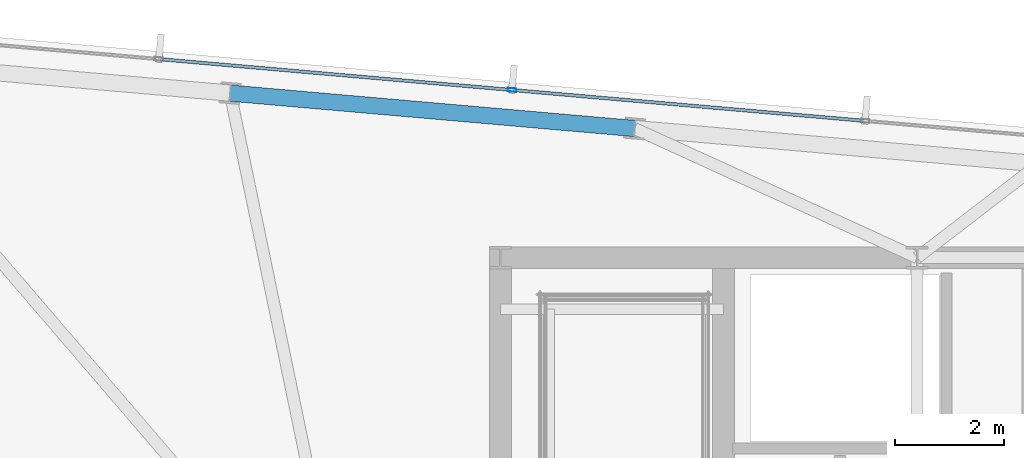
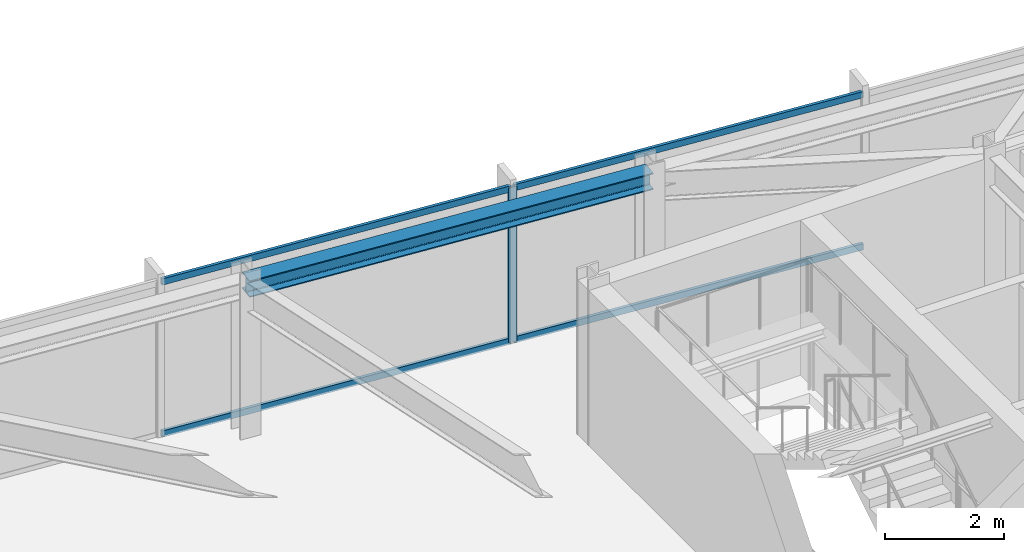
# One storey, part 24 of 32: 5 members, 1 beam, 1 element without a shape of its own.
"""IFC4 building model written with IfcOpenShell, lengths in metres."""

from ifc_helpers import new_model, si_unit, direction, frame, origin, origin_2d, place, context, subcontext, project, spatial, hollow_rectangle, i_section, extrude, material, material_profile, profile_set, type_object, element, aggregate, save


model = new_model("IFC4")

# Units and contexts
model_context = context("Model", 3, precision=1e-05, world=origin(), true_north=direction((0.0, 1.0)))
body_context = subcontext(model_context, "Body", "Model", "MODEL_VIEW")
ifc_project = project(units=[si_unit("LENGTHUNIT", "METRE"), si_unit("AREAUNIT", "SQUARE_METRE"), si_unit("VOLUMEUNIT", "CUBIC_METRE"), si_unit("PLANEANGLEUNIT", "RADIAN"), si_unit("MASSUNIT", "GRAM", prefix="KILO")], contexts=[model_context])

# Site, building, storey
site_placement = place(None, origin())
site = spatial("IfcSite", under=ifc_project, at=site_placement, CompositionType="ELEMENT")
building_placement = place(site_placement, origin())
building = spatial("IfcBuilding", under=site, at=building_placement, Name="Yelkora Congress Tower", CompositionType="ELEMENT")
storey_placement = place(building_placement, frame((0.0, 0.0, 293.10009765625)))
storey = spatial("IfcBuildingStorey", under=building, at=storey_placement, Name="L82", CompositionType="ELEMENT", Elevation=293.10009765625)

# Beam
ifc_material_1 = material(Name="Steel S355J2", Category="steel")
ifc_material_profile_1 = material_profile(ifc_material_1, i_section(OverallWidth=0.300048828125, OverallDepth=0.340087890625, WebThickness=0.011962890625, FlangeThickness=0.021484375, FilletRadius=0.027099609375, at=origin_2d()), Name="HEB 340")
ifc_profile_set_1 = profile_set([ifc_material_profile_1], Name="Steel S355J2")
beam_type = type_object("IfcBeamType", Name="BM-SPAN-HEB340", PredefinedType="SPANDREL", material=ifc_profile_set_1)
beam_placement = place(storey_placement, frame((25.513916015625, 48.57958984375, 3.010009765625), z_axis=(-0.996196266663, 0.087137812034, 0.0), x_axis=(-0.087137812034, -0.996196266663, 0.0)))
element("IfcBeam", 1, at=beam_placement, inside=storey, type_object=beam_type, Name="L82 Perimeter Beam 11", PredefinedType="SPANDREL", context=body_context, shape_type="SweptSolid", body=[
    extrude(i_section(OverallWidth=0.300048828125, OverallDepth=0.340087890625, WebThickness=0.011962890625, FlangeThickness=0.021484375, FilletRadius=0.027099609375, at=origin_2d()), origin(), (0.0, 0.0, 1.0), 7.483642578125),
])

# Curtain wall, members
ifc_material_2 = material(Name="Anodised aluminium and insulated glass", Category="aluminium")
curtain_wall_type = type_object("IfcCurtainWallType", Name="CW-SYS-B5", PredefinedType="NOTDEFINED", material=ifc_material_2)
curtain_wall_placement = place(storey_placement, origin())
curtain_wall = element("IfcCurtainWall", 2, at=curtain_wall_placement, inside=storey, type_object=curtain_wall_type, Name="L82 Unitised Curtain Wall 10", PredefinedType="NOTDEFINED")
ifc_material_3 = material(Name="Anodised aluminium 6063-T6", Category="aluminium")
ifc_material_profile_2 = material_profile(ifc_material_3, hollow_rectangle(XDim=0.06494140625, YDim=0.159912109375, WallThickness=0.00390625, at=origin_2d()), Name="ALU 65x160x4")
ifc_profile_set_2 = profile_set([ifc_material_profile_2], Name="Anodised aluminium 6063-T6")
member_type_1 = type_object("IfcMemberType", Name="MEM-ML-B5", PredefinedType="MULLION", material=ifc_profile_set_2)
member_1_placement = place(storey_placement, frame((23.253173828125, 49.289306640625, 0.0), z_axis=(0.0, 0.0, 1.0), x_axis=(0.087156639893, 0.996194619601, 0.0)))
member_1 = element("IfcMember", 3, at=member_1_placement, type_object=member_type_1, Name="CW-B5 mullion 3", PredefinedType="MULLION", context=body_context, shape_type="SweptSolid", body=[
    extrude(hollow_rectangle(XDim=0.06494140625, YDim=0.159912109375, WallThickness=0.00390625, at=origin_2d()), origin(), (0.0, 0.0, 1.0), 3.179931640625),
])
ifc_material_profile_3 = material_profile(ifc_material_3, hollow_rectangle(XDim=0.06005859375, YDim=0.1298828125, WallThickness=0.00390625, at=origin_2d()), Name="ALU 60x130x4")
ifc_profile_set_3 = profile_set([ifc_material_profile_3], Name="Anodised aluminium 6063-T6")
member_type_2 = type_object("IfcMemberType", Name="MEM-TR-B5", PredefinedType="USERDEFINED", material=ifc_profile_set_3)
member_2_placement = place(storey_placement, frame((16.779052734375, 49.855712890625, 0.02978515625), z_axis=(0.996195971174, -0.087141190126, 0.0), x_axis=(0.087141190126, 0.996195971174, 0.0)))
member_2 = element("IfcMember", 4, at=member_2_placement, type_object=member_type_2, Name="CW-B5 transom 2.1", ObjectType="TRANSOM", PredefinedType="USERDEFINED", context=body_context, shape_type="SweptSolid", body=[
    extrude(hollow_rectangle(XDim=0.06005859375, YDim=0.1298828125, WallThickness=0.00390625, at=origin_2d()), origin(), (0.0, 0.0, 1.0), 6.46630859375),
])
member_3_placement = place(storey_placement, frame((16.779052734375, 49.855712890625, 3.14990234375), z_axis=(0.996195971174, -0.087141190126, 0.0), x_axis=(0.087141190126, 0.996195971174, 0.0)))
member_3 = element("IfcMember", 5, at=member_3_placement, type_object=member_type_2, Name="CW-B5 transom 2.2", ObjectType="TRANSOM", PredefinedType="USERDEFINED", context=body_context, shape_type="SweptSolid", body=[
    extrude(hollow_rectangle(XDim=0.06005859375, YDim=0.1298828125, WallThickness=0.00390625, at=origin_2d()), origin(), (0.0, 0.0, 1.0), 6.46630859375),
])
member_4_placement = place(storey_placement, frame((23.285400390625, 49.286376953125, 0.02978515625), z_axis=(0.996196257862, -0.087137912649, 0.0), x_axis=(0.087137912649, 0.996196257862, 0.0)))
member_4 = element("IfcMember", 6, at=member_4_placement, type_object=member_type_2, Name="CW-B5 transom 3.1", ObjectType="TRANSOM", PredefinedType="USERDEFINED", context=body_context, shape_type="SweptSolid", body=[
    extrude(hollow_rectangle(XDim=0.06005859375, YDim=0.1298828125, WallThickness=0.00390625, at=origin_2d()), origin(), (0.0, 0.0, 1.0), 6.466552734375),
])
member_5_placement = place(storey_placement, frame((23.285400390625, 49.286376953125, 3.14990234375), z_axis=(0.996196257862, -0.087137912649, 0.0), x_axis=(0.087137912649, 0.996196257862, 0.0)))
member_5 = element("IfcMember", 7, at=member_5_placement, type_object=member_type_2, Name="CW-B5 transom 3.2", ObjectType="TRANSOM", PredefinedType="USERDEFINED", context=body_context, shape_type="SweptSolid", body=[
    extrude(hollow_rectangle(XDim=0.06005859375, YDim=0.1298828125, WallThickness=0.00390625, at=origin_2d()), origin(), (0.0, 0.0, 1.0), 6.466552734375),
])
aggregate(curtain_wall, [member_1, member_2, member_3, member_4, member_5])

save(model, "model.ifc")
